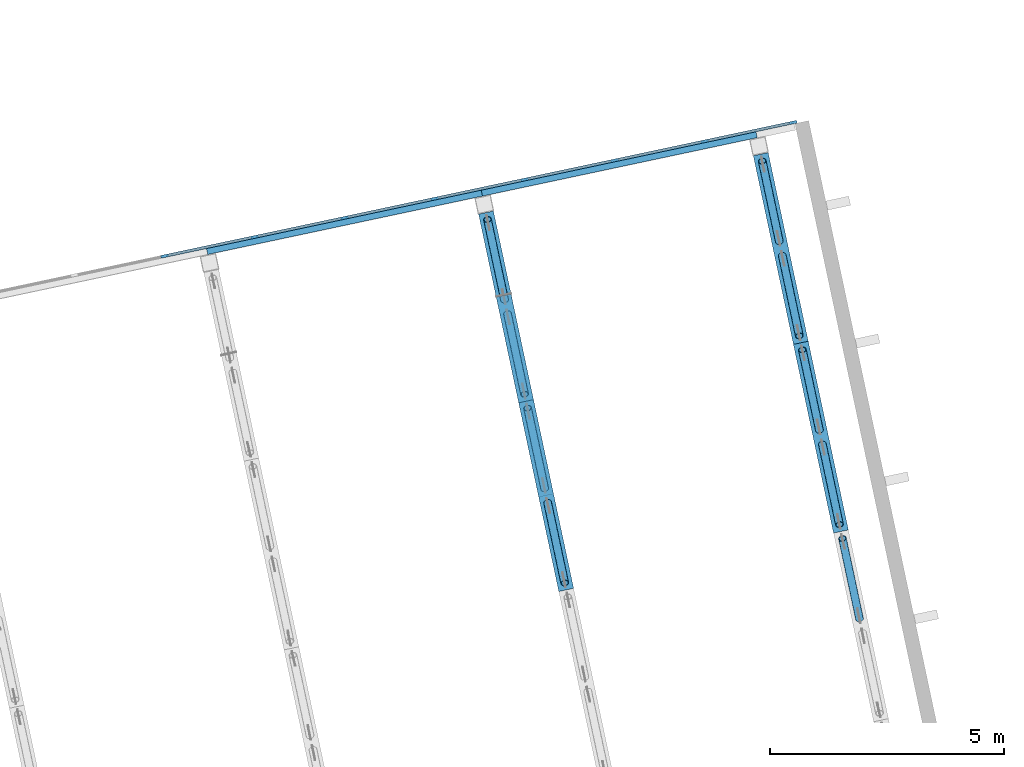
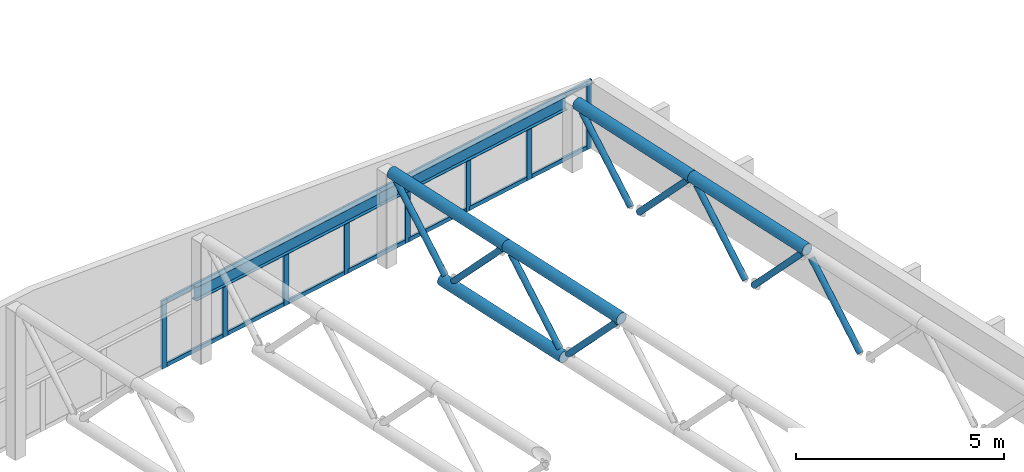
# One storey, part 24 of 58: 36 members, 2 beams, 1 element without a shape of its own.
"""IFC4 building model written with IfcOpenShell, lengths in metres."""

from ifc_helpers import new_model, si_unit, direction, frame, origin, origin_2d, place, context, subcontext, project, spatial, rectangle, hollow_circle, i_section, extrude, material, layer, layer_set, material_profile, profile_set, type_object, element, aggregate, save


model = new_model("IFC4")

# Units and contexts
model_context = context("Model", 3, precision=1e-05, world=origin(), true_north=direction((0.0, 1.0)))
body_context = subcontext(model_context, "Body", "Model", "MODEL_VIEW")
ifc_project = project(units=[si_unit("LENGTHUNIT", "METRE"), si_unit("AREAUNIT", "SQUARE_METRE"), si_unit("VOLUMEUNIT", "CUBIC_METRE"), si_unit("PLANEANGLEUNIT", "RADIAN"), si_unit("MASSUNIT", "GRAM", prefix="KILO")], contexts=[model_context])

# Site, building, storey
site_placement = place(None, origin())
site = spatial("IfcSite", under=ifc_project, at=site_placement, CompositionType="ELEMENT")
building_placement = place(site_placement, origin())
building = spatial("IfcBuilding", under=site, at=building_placement, Name="Windward Yard Aquatics Centre", CompositionType="ELEMENT")
storey_placement = place(building_placement, frame((0.0, 0.0, 13.800048828125)))
storey = spatial("IfcBuildingStorey", under=building, at=storey_placement, Name="L03", CompositionType="ELEMENT", Elevation=13.800048828125)

# Member
ifc_material_1 = material(Name="Steel ASTM A500 Gr C", Category="steel")
ifc_material_profile_1 = material_profile(ifc_material_1, hollow_circle(Radius=0.161865234375, WallThickness=0.0126953125, at=origin_2d()), Name="HSS323.9X12.7")
ifc_profile_set_1 = profile_set([ifc_material_profile_1], Name="Steel ASTM A500 Gr C")
member_type_1 = type_object("IfcMemberType", Name="D bottom chord HSS323.9X12.7", PredefinedType="CHORD", material=ifc_profile_set_1)
member_1_placement = place(storey_placement, frame((187.595947265625, 74.571044921875, 0.557373046875), z_axis=(-0.207907524746, 0.97814848625, 0.0), x_axis=(-0.97814848625, -0.207907524746, 0.0)))
element("IfcMember", 1, at=member_1_placement, inside=storey, type_object=member_type_1, Name="D.M.TR6.BC7", PredefinedType="CHORD", context=body_context, shape_type="SweptSolid", body=[
    extrude(hollow_circle(Radius=0.161865234375, WallThickness=0.0126953125, at=origin_2d()), origin(), (0.0, 0.0, 1.0), 4.37060546875),
])

# Curtain wall, members
ifc_material_2 = material(Name="Aluminium and glass", Category="aluminium")
ifc_layer = layer(ifc_material_2, 0.159912109375)
ifc_layer_set = layer_set([ifc_layer], Name="D curtain wall 160")
curtain_wall_type = type_object("IfcCurtainWallType", Name="D curtain wall 160", PredefinedType="NOTDEFINED", material=ifc_layer_set)
curtain_wall_placement = place(storey_placement, origin())
curtain_wall = element("IfcCurtainWall", 2, at=curtain_wall_placement, inside=storey, type_object=curtain_wall_type, Name="North glazing L03", PredefinedType="NOTDEFINED")
ifc_material_3 = material(Name="Aluminium extrusion", Category="aluminium")
ifc_material_profile_2 = material_profile(ifc_material_3, rectangle(XDim=0.06005859375, YDim=0.159912109375, at=origin_2d()), Name="MULLION 60X160")
ifc_profile_set_2 = profile_set([ifc_material_profile_2], Name="Aluminium extrusion")
member_type_2 = type_object("IfcMemberType", Name="D curtain wall mullion 60X160", PredefinedType="MULLION", material=ifc_profile_set_2)
member_2_placement = place(storey_placement, frame((179.44384765625, 79.6865234375, 0.0), z_axis=(0.0, 0.0, 1.0), x_axis=(-0.207911718662, 0.978147594815, 0.0)))
member_2 = element("IfcMember", 3, at=member_2_placement, type_object=member_type_2, Name="DCW-L03 mullion 13", PredefinedType="MULLION", context=body_context, shape_type="SweptSolid", body=[
    extrude(rectangle(XDim=0.06005859375, YDim=0.159912109375, at=origin_2d()), origin(), (0.0, 0.0, 1.0), 2.0),
])
member_3_placement = place(storey_placement, frame((181.36669921875, 80.09521484375, 0.0), z_axis=(0.0, 0.0, 1.0), x_axis=(-0.207911718662, 0.978147594815, 0.0)))
member_3 = element("IfcMember", 4, at=member_3_placement, type_object=member_type_2, Name="DCW-L03 mullion 14", PredefinedType="MULLION", context=body_context, shape_type="SweptSolid", body=[
    extrude(rectangle(XDim=0.06005859375, YDim=0.159912109375, at=origin_2d()), origin(), (0.0, 0.0, 1.0), 2.0),
])
member_4_placement = place(storey_placement, frame((183.28955078125, 80.504150390625, 0.0), z_axis=(0.0, 0.0, 1.0), x_axis=(-0.207911718662, 0.978147594815, 0.0)))
member_4 = element("IfcMember", 5, at=member_4_placement, type_object=member_type_2, Name="DCW-L03 mullion 15", PredefinedType="MULLION", context=body_context, shape_type="SweptSolid", body=[
    extrude(rectangle(XDim=0.06005859375, YDim=0.159912109375, at=origin_2d()), origin(), (0.0, 0.0, 1.0), 2.0),
])
member_5_placement = place(storey_placement, frame((185.212158203125, 80.912841796875, 0.0), z_axis=(0.0, 0.0, 1.0), x_axis=(-0.207911718662, 0.978147594815, 0.0)))
member_5 = element("IfcMember", 6, at=member_5_placement, type_object=member_type_2, Name="DCW-L03 mullion 16", PredefinedType="MULLION", context=body_context, shape_type="SweptSolid", body=[
    extrude(rectangle(XDim=0.06005859375, YDim=0.159912109375, at=origin_2d()), origin(), (0.0, 0.0, 1.0), 2.0),
])
member_6_placement = place(storey_placement, frame((187.135009765625, 81.321533203125, 0.0), z_axis=(0.0, 0.0, 1.0), x_axis=(-0.207911718662, 0.978147594815, 0.0)))
member_6 = element("IfcMember", 7, at=member_6_placement, type_object=member_type_2, Name="DCW-L03 mullion 17", PredefinedType="MULLION", context=body_context, shape_type="SweptSolid", body=[
    extrude(rectangle(XDim=0.06005859375, YDim=0.159912109375, at=origin_2d()), origin(), (0.0, 0.0, 1.0), 2.0),
])
member_7_placement = place(storey_placement, frame((189.057861328125, 81.730224609375, 0.0), z_axis=(0.0, 0.0, 1.0), x_axis=(-0.207911718662, 0.978147594815, 0.0)))
member_7 = element("IfcMember", 8, at=member_7_placement, type_object=member_type_2, Name="DCW-L03 mullion 18", PredefinedType="MULLION", context=body_context, shape_type="SweptSolid", body=[
    extrude(rectangle(XDim=0.06005859375, YDim=0.159912109375, at=origin_2d()), origin(), (0.0, 0.0, 1.0), 2.0),
])
member_8_placement = place(storey_placement, frame((190.980712890625, 82.138916015625, 0.0), z_axis=(0.0, 0.0, 1.0), x_axis=(-0.207911718662, 0.978147594815, 0.0)))
member_8 = element("IfcMember", 9, at=member_8_placement, type_object=member_type_2, Name="DCW-L03 mullion 19", PredefinedType="MULLION", context=body_context, shape_type="SweptSolid", body=[
    extrude(rectangle(XDim=0.06005859375, YDim=0.159912109375, at=origin_2d()), origin(), (0.0, 0.0, 1.0), 2.0),
])
member_9_placement = place(storey_placement, frame((192.874267578125, 82.541259765625, 0.0), z_axis=(0.0, 0.0, 1.0), x_axis=(-0.207911718662, 0.978147594815, 0.0)))
member_9 = element("IfcMember", 10, at=member_9_placement, type_object=member_type_2, Name="DCW-L03 mullion 20", PredefinedType="MULLION", context=body_context, shape_type="SweptSolid", body=[
    extrude(rectangle(XDim=0.06005859375, YDim=0.159912109375, at=origin_2d()), origin(), (0.0, 0.0, 1.0), 2.0),
])
ifc_material_profile_3 = material_profile(ifc_material_3, rectangle(XDim=0.06005859375, YDim=0.1201171875, at=origin_2d()), Name="TRANSOM 60X120")
ifc_profile_set_3 = profile_set([ifc_material_profile_3], Name="Aluminium extrusion")
member_type_3 = type_object("IfcMemberType", Name="D curtain wall transom 60X120", PredefinedType="USERDEFINED", material=ifc_profile_set_3)
member_10_placement = place(storey_placement, frame((179.47314453125, 79.69287109375, 0.06005859375), z_axis=(0.978144196583, 0.207927705443, 0.0), x_axis=(-0.207927705443, 0.978144196583, 0.0)))
member_10 = element("IfcMember", 11, at=member_10_placement, type_object=member_type_3, Name="DCW-L03 transom 13.1", ObjectType="TRANSOM", PredefinedType="USERDEFINED", context=body_context, shape_type="SweptSolid", body=[
    extrude(rectangle(XDim=0.06005859375, YDim=0.1201171875, at=origin_2d()), origin(), (0.0, 0.0, 1.0), 1.90576171875),
])
member_11_placement = place(storey_placement, frame((179.47314453125, 79.69287109375, 1.93994140625), z_axis=(0.978144196583, 0.207927705443, 0.0), x_axis=(-0.207927705443, 0.978144196583, 0.0)))
member_11 = element("IfcMember", 12, at=member_11_placement, type_object=member_type_3, Name="DCW-L03 transom 13.2", ObjectType="TRANSOM", PredefinedType="USERDEFINED", context=body_context, shape_type="SweptSolid", body=[
    extrude(rectangle(XDim=0.06005859375, YDim=0.1201171875, at=origin_2d()), origin(), (0.0, 0.0, 1.0), 1.90576171875),
])
member_12_placement = place(storey_placement, frame((181.39599609375, 80.1015625, 0.06005859375), z_axis=(0.978144196583, 0.207927705443, 0.0), x_axis=(-0.207927705443, 0.978144196583, 0.0)))
member_12 = element("IfcMember", 13, at=member_12_placement, type_object=member_type_3, Name="DCW-L03 transom 14.1", ObjectType="TRANSOM", PredefinedType="USERDEFINED", context=body_context, shape_type="SweptSolid", body=[
    extrude(rectangle(XDim=0.06005859375, YDim=0.1201171875, at=origin_2d()), origin(), (0.0, 0.0, 1.0), 1.90576171875),
])
member_13_placement = place(storey_placement, frame((181.39599609375, 80.1015625, 1.93994140625), z_axis=(0.978144196583, 0.207927705443, 0.0), x_axis=(-0.207927705443, 0.978144196583, 0.0)))
member_13 = element("IfcMember", 14, at=member_13_placement, type_object=member_type_3, Name="DCW-L03 transom 14.2", ObjectType="TRANSOM", PredefinedType="USERDEFINED", context=body_context, shape_type="SweptSolid", body=[
    extrude(rectangle(XDim=0.06005859375, YDim=0.1201171875, at=origin_2d()), origin(), (0.0, 0.0, 1.0), 1.90576171875),
])
member_14_placement = place(storey_placement, frame((183.31884765625, 80.51025390625, 0.06005859375), z_axis=(0.978144196583, 0.207927705443, 0.0), x_axis=(-0.207927705443, 0.978144196583, 0.0)))
member_14 = element("IfcMember", 15, at=member_14_placement, type_object=member_type_3, Name="DCW-L03 transom 15.1", ObjectType="TRANSOM", PredefinedType="USERDEFINED", context=body_context, shape_type="SweptSolid", body=[
    extrude(rectangle(XDim=0.06005859375, YDim=0.1201171875, at=origin_2d()), origin(), (0.0, 0.0, 1.0), 1.90576171875),
])
member_15_placement = place(storey_placement, frame((183.31884765625, 80.51025390625, 1.93994140625), z_axis=(0.978144196583, 0.207927705443, 0.0), x_axis=(-0.207927705443, 0.978144196583, 0.0)))
member_15 = element("IfcMember", 16, at=member_15_placement, type_object=member_type_3, Name="DCW-L03 transom 15.2", ObjectType="TRANSOM", PredefinedType="USERDEFINED", context=body_context, shape_type="SweptSolid", body=[
    extrude(rectangle(XDim=0.06005859375, YDim=0.1201171875, at=origin_2d()), origin(), (0.0, 0.0, 1.0), 1.90576171875),
])
member_16_placement = place(storey_placement, frame((185.24169921875, 80.9189453125, 0.06005859375), z_axis=(0.978144196583, 0.207927705443, 0.0), x_axis=(-0.207927705443, 0.978144196583, 0.0)))
member_16 = element("IfcMember", 17, at=member_16_placement, type_object=member_type_3, Name="DCW-L03 transom 16.1", ObjectType="TRANSOM", PredefinedType="USERDEFINED", context=body_context, shape_type="SweptSolid", body=[
    extrude(rectangle(XDim=0.06005859375, YDim=0.1201171875, at=origin_2d()), origin(), (0.0, 0.0, 1.0), 1.90576171875),
])
member_17_placement = place(storey_placement, frame((185.24169921875, 80.9189453125, 1.93994140625), z_axis=(0.978144196583, 0.207927705443, 0.0), x_axis=(-0.207927705443, 0.978144196583, 0.0)))
member_17 = element("IfcMember", 18, at=member_17_placement, type_object=member_type_3, Name="DCW-L03 transom 16.2", ObjectType="TRANSOM", PredefinedType="USERDEFINED", context=body_context, shape_type="SweptSolid", body=[
    extrude(rectangle(XDim=0.06005859375, YDim=0.1201171875, at=origin_2d()), origin(), (0.0, 0.0, 1.0), 1.90576171875),
])
member_18_placement = place(storey_placement, frame((187.16455078125, 81.32763671875, 0.06005859375), z_axis=(0.978144196583, 0.207927705443, 0.0), x_axis=(-0.207927705443, 0.978144196583, 0.0)))
member_18 = element("IfcMember", 19, at=member_18_placement, type_object=member_type_3, Name="DCW-L03 transom 17.1", ObjectType="TRANSOM", PredefinedType="USERDEFINED", context=body_context, shape_type="SweptSolid", body=[
    extrude(rectangle(XDim=0.06005859375, YDim=0.1201171875, at=origin_2d()), origin(), (0.0, 0.0, 1.0), 1.90576171875),
])
member_19_placement = place(storey_placement, frame((187.16455078125, 81.32763671875, 1.93994140625), z_axis=(0.978144196583, 0.207927705443, 0.0), x_axis=(-0.207927705443, 0.978144196583, 0.0)))
member_19 = element("IfcMember", 20, at=member_19_placement, type_object=member_type_3, Name="DCW-L03 transom 17.2", ObjectType="TRANSOM", PredefinedType="USERDEFINED", context=body_context, shape_type="SweptSolid", body=[
    extrude(rectangle(XDim=0.06005859375, YDim=0.1201171875, at=origin_2d()), origin(), (0.0, 0.0, 1.0), 1.90576171875),
])
member_20_placement = place(storey_placement, frame((189.08740234375, 81.736328125, 0.06005859375), z_axis=(0.978144196583, 0.207927705443, 0.0), x_axis=(-0.207927705443, 0.978144196583, 0.0)))
member_20 = element("IfcMember", 21, at=member_20_placement, type_object=member_type_3, Name="DCW-L03 transom 18.1", ObjectType="TRANSOM", PredefinedType="USERDEFINED", context=body_context, shape_type="SweptSolid", body=[
    extrude(rectangle(XDim=0.06005859375, YDim=0.1201171875, at=origin_2d()), origin(), (0.0, 0.0, 1.0), 1.90576171875),
])
member_21_placement = place(storey_placement, frame((189.08740234375, 81.736328125, 1.93994140625), z_axis=(0.978144196583, 0.207927705443, 0.0), x_axis=(-0.207927705443, 0.978144196583, 0.0)))
member_21 = element("IfcMember", 22, at=member_21_placement, type_object=member_type_3, Name="DCW-L03 transom 18.2", ObjectType="TRANSOM", PredefinedType="USERDEFINED", context=body_context, shape_type="SweptSolid", body=[
    extrude(rectangle(XDim=0.06005859375, YDim=0.1201171875, at=origin_2d()), origin(), (0.0, 0.0, 1.0), 1.90576171875),
])
member_22_placement = place(storey_placement, frame((191.010009765625, 82.14501953125, 0.06005859375), z_axis=(0.978136354166, 0.207964594726, 0.0), x_axis=(-0.207964594726, 0.978136354166, 0.0)))
member_22 = element("IfcMember", 23, at=member_22_placement, type_object=member_type_3, Name="DCW-L03 transom 19.1", ObjectType="TRANSOM", PredefinedType="USERDEFINED", context=body_context, shape_type="SweptSolid", body=[
    extrude(rectangle(XDim=0.06005859375, YDim=0.1201171875, at=origin_2d()), origin(), (0.0, 0.0, 1.0), 1.8759765625),
])
member_23_placement = place(storey_placement, frame((191.010009765625, 82.14501953125, 1.93994140625), z_axis=(0.978136354166, 0.207964594726, 0.0), x_axis=(-0.207964594726, 0.978136354166, 0.0)))
member_23 = element("IfcMember", 24, at=member_23_placement, type_object=member_type_3, Name="DCW-L03 transom 19.2", ObjectType="TRANSOM", PredefinedType="USERDEFINED", context=body_context, shape_type="SweptSolid", body=[
    extrude(rectangle(XDim=0.06005859375, YDim=0.1201171875, at=origin_2d()), origin(), (0.0, 0.0, 1.0), 1.8759765625),
])
aggregate(curtain_wall, [member_2, member_3, member_4, member_5, member_6, member_7, member_8, member_9, member_10, member_11, member_12, member_13, member_14, member_15, member_16, member_17, member_18, member_19, member_20, member_21, member_22, member_23])

# Beams
ifc_material_4 = material(Name="Steel ASTM A992 Gr 50", Category="steel")
ifc_material_profile_4 = material_profile(ifc_material_4, i_section(OverallWidth=0.177978515625, OverallDepth=0.406005859375, WebThickness=0.0078125, FlangeThickness=0.0126953125, at=origin_2d()), Name="W410X60")
ifc_profile_set_4 = profile_set([ifc_material_profile_4], Name="Steel ASTM A992 Gr 50")
beam_type = type_object("IfcBeamType", Name="D fascia girder W410X60", PredefinedType="BEAM", material=ifc_profile_set_4)
for number, where, z_axis, x_axis, name in (
    (25, (180.348876953125, 79.8076171875, 1.796875), (0.978152955943, 0.207886494942, 0.0), (-0.207886494942, 0.978152955943, 0.0), "D.B.FA5"),
    (26, (186.2177734375, 81.054931640625, 1.796875), (0.978144681088, 0.207925426197, 0.0), (-0.207925426197, 0.978144681088, 0.0), "D.B.FA6"),
):
    element("IfcBeam", number, at=place(storey_placement, frame(where, z_axis=z_axis, x_axis=x_axis)), inside=storey, type_object=beam_type, Name=name, PredefinedType="BEAM", context=body_context, shape_type="SweptSolid", body=[
        extrude(i_section(OverallWidth=0.177978515625, OverallDepth=0.406005859375, WebThickness=0.0078125, FlangeThickness=0.0126953125, at=origin_2d()), origin(), (0.0, 0.0, 1.0), 6.0),
    ])

# Members
ifc_material_profile_5 = material_profile(ifc_material_1, hollow_circle(Radius=0.161865234375, WallThickness=0.0126953125, at=origin_2d()), Name="HSS323.9X12.7")
ifc_profile_set_5 = profile_set([ifc_material_profile_5], Name="Steel ASTM A500 Gr C")
member_type_4 = type_object("IfcMemberType", Name="D top chord HSS323.9X12.7", PredefinedType="CHORD", material=ifc_profile_set_5)
member_24_placement = place(storey_placement, frame((188.0244140625, 72.555908203125, 2.75732421875), z_axis=(-0.2079182829, 0.97814619952, 0.0), x_axis=(-0.97814619952, -0.2079182829, 0.0)))
element("IfcMember", 27, at=member_24_placement, inside=storey, type_object=member_type_4, Name="D.M.TR6.TC7", PredefinedType="CHORD", context=body_context, shape_type="SweptSolid", body=[
    extrude(hollow_circle(Radius=0.161865234375, WallThickness=0.0126953125, at=origin_2d()), origin(), (0.0, 0.0, 1.0), 4.120361328125),
])
for number, where, z_axis, x_axis, name in (
    (28, (187.167724609375, 76.586181640625, 2.75732421875), (-0.207906233063, 0.978148760799, 0.0), (-0.978148760799, -0.207906233063, 0.0), "D.M.TR6.TC8"),
    (29, (193.893310546875, 73.80322265625, 1.9677734375), (-0.207906233063, 0.978148760799, 0.0), (-0.978148760799, -0.207906233063, 0.0), "D.M.TR7.TC7"),
    (30, (193.03662109375, 77.833740234375, 1.9677734375), (-0.207906233063, 0.978148760799, 0.0), (-0.978148760799, -0.207906233063, 0.0), "D.M.TR7.TC8"),
):
    element("IfcMember", number, at=place(storey_placement, frame(where, z_axis=z_axis, x_axis=x_axis)), inside=storey, type_object=member_type_4, Name=name, PredefinedType="CHORD", context=body_context, shape_type="SweptSolid", body=[
        extrude(hollow_circle(Radius=0.161865234375, WallThickness=0.0126953125, at=origin_2d()), origin(), (0.0, 0.0, 1.0), 4.12060546875),
    ])
ifc_material_profile_6 = material_profile(ifc_material_1, hollow_circle(Radius=0.084228515625, WallThickness=0.010986328125, at=origin_2d()), Name="HSS168.3X11")
ifc_profile_set_6 = profile_set([ifc_material_profile_6], Name="Steel ASTM A500 Gr C")
member_type_5 = type_object("IfcMemberType", Name="D web HSS168.3X11", PredefinedType="BRACE", material=ifc_profile_set_6)
for number, where, z_axis, x_axis, name in (
    (31, (187.992919921875, 72.7041015625, 2.59521484375), (-0.142103284534, 0.668626350155, -0.729894143286), (-0.978152846624, -0.207887009312, 0.0), "D.M.TR6.D13"),
    (32, (187.19921875, 76.43798828125, 2.59521484375), (0.142103284534, -0.668626350155, -0.729894143286), (0.978152846624, 0.207887009312, 0.0), "D.M.TR6.D14"),
):
    element("IfcMember", number, at=place(storey_placement, frame(where, z_axis=z_axis, x_axis=x_axis)), inside=storey, type_object=member_type_5, Name=name, PredefinedType="BRACE", context=body_context, shape_type="SweptSolid", body=[
        extrude(hollow_circle(Radius=0.084228515625, WallThickness=0.010986328125, at=origin_2d()), origin(), (0.0, 0.0, 1.0), 2.5703125),
    ])
member_25_placement = place(storey_placement, frame((187.135986328125, 76.734619140625, 2.59521484375), z_axis=(-0.142010211965, 0.668635372589, -0.729903992467), x_axis=(-0.97818109565, -0.207754047165, 0.0)))
element("IfcMember", 33, at=member_25_placement, inside=storey, type_object=member_type_5, Name="D.M.TR6.D15", PredefinedType="BRACE", context=body_context, shape_type="SweptSolid", body=[
    extrude(hollow_circle(Radius=0.084228515625, WallThickness=0.010986328125, at=origin_2d()), origin(), (0.0, 0.0, 1.0), 2.570068359375),
])
member_26_placement = place(storey_placement, frame((186.342529296875, 80.468505859375, 2.59521484375), z_axis=(0.142103284534, -0.668626350155, -0.729894143286), x_axis=(0.978152846624, 0.207887009312, 0.0)))
element("IfcMember", 34, at=member_26_placement, inside=storey, type_object=member_type_5, Name="D.M.TR6.D16", PredefinedType="BRACE", context=body_context, shape_type="SweptSolid", body=[
    extrude(hollow_circle(Radius=0.084228515625, WallThickness=0.010986328125, at=origin_2d()), origin(), (0.0, 0.0, 1.0), 2.5703125),
])
member_27_placement = place(storey_placement, frame((193.9248046875, 73.65478515625, 1.805908203125), z_axis=(0.142112310021, -0.668573822143, -0.72994050147), x_axis=(0.978146839882, 0.207915270313, 0.0)))
element("IfcMember", 35, at=member_27_placement, inside=storey, type_object=member_type_5, Name="D.M.TR7.D12", PredefinedType="BRACE", context=body_context, shape_type="SweptSolid", body=[
    extrude(hollow_circle(Radius=0.084228515625, WallThickness=0.010986328125, at=origin_2d()), origin(), (0.0, 0.0, 1.0), 2.570068359375),
])
for number, where, z_axis, x_axis, name in (
    (36, (193.86181640625, 73.95166015625, 1.805908203125), (-0.142196353333, 0.668617322053, -0.729884287918), (-0.978124581159, -0.208019959937, 0.0), "D.M.TR7.D13"),
    (37, (193.068115234375, 77.685302734375, 1.805908203125), (0.142103284534, -0.668626350155, -0.729894143286), (0.978152846624, 0.207887009312, 0.0), "D.M.TR7.D14"),
    (38, (193.0048828125, 77.982177734375, 1.805908203125), (-0.142103284534, 0.668626350155, -0.729894143286), (-0.978152846624, -0.207887009312, 0.0), "D.M.TR7.D15"),
    (39, (192.21142578125, 81.7158203125, 1.805908203125), (0.142103284534, -0.668626350155, -0.729894143286), (0.978152846624, 0.207887009312, 0.0), "D.M.TR7.D16"),
):
    element("IfcMember", number, at=place(storey_placement, frame(where, z_axis=z_axis, x_axis=x_axis)), inside=storey, type_object=member_type_5, Name=name, PredefinedType="BRACE", context=body_context, shape_type="SweptSolid", body=[
        extrude(hollow_circle(Radius=0.084228515625, WallThickness=0.010986328125, at=origin_2d()), origin(), (0.0, 0.0, 1.0), 2.5703125),
    ])

save(model, "model.ifc")
